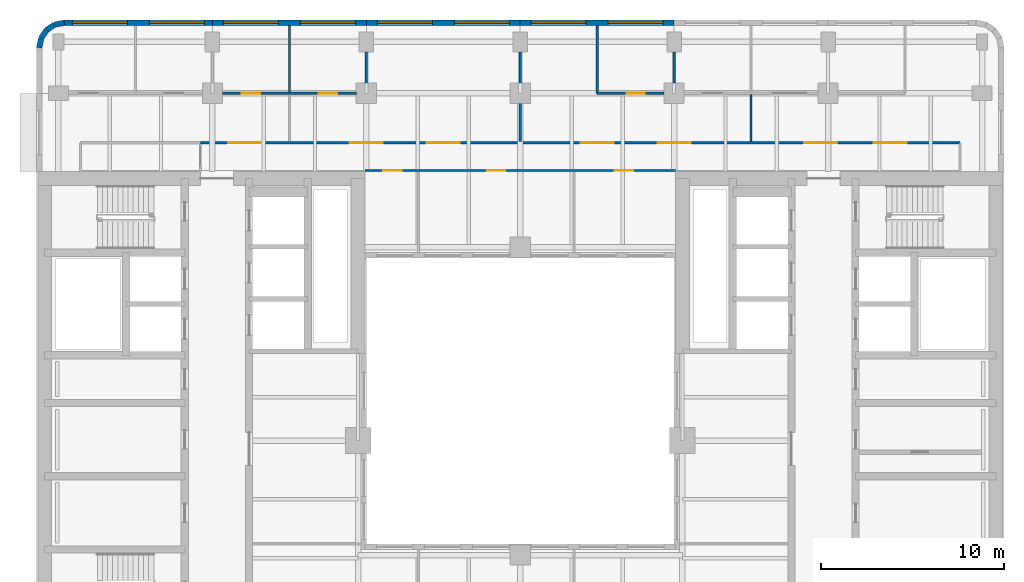
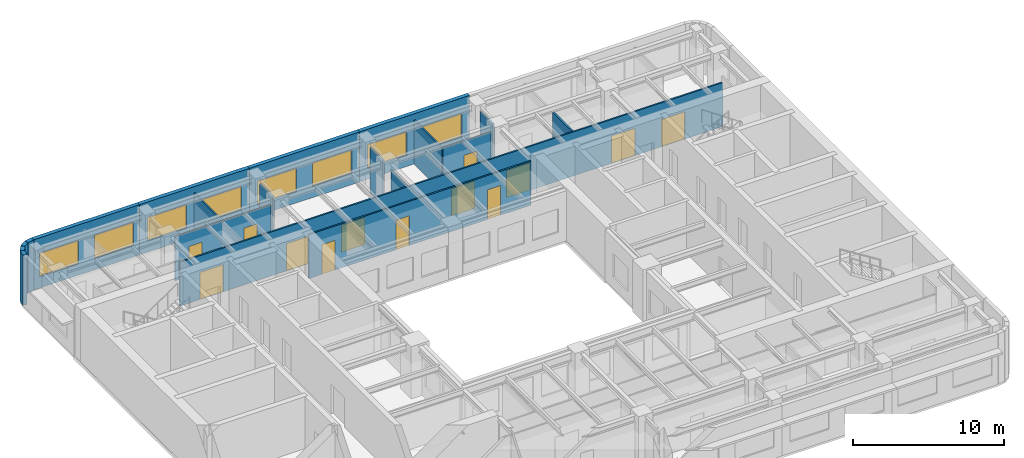
# One storey, part 7 of 11: 19 walls, 13 doors, 8 windows, 21 openings.
"""IFC4 building model written with IfcOpenShell, lengths in metres."""

from ifc_helpers import new_model, si_unit, direction, frame, frame_2d, origin, place, context, subcontext, project, spatial, rectangle, extrude, material, layer, layer_set, type_object, element, fill, save


model = new_model("IFC4")

# Units and contexts
model_context = context("Model", 3, precision=1e-05, world=origin(), true_north=direction((0.0, 1.0)))
body_context = subcontext(model_context, "Body", "Model", "MODEL_VIEW")
ifc_project = project(units=[si_unit("LENGTHUNIT", "METRE"), si_unit("AREAUNIT", "SQUARE_METRE"), si_unit("VOLUMEUNIT", "CUBIC_METRE"), si_unit("PLANEANGLEUNIT", "RADIAN"), si_unit("MASSUNIT", "GRAM", prefix="KILO")], contexts=[model_context])

# Site, building, storey
site_placement = place(None, origin())
site = spatial("IfcSite", under=ifc_project, at=site_placement, CompositionType="ELEMENT")
building_placement = place(site_placement, origin())
building = spatial("IfcBuilding", under=site, at=building_placement, Name="Claustro Exchange Tower", CompositionType="ELEMENT")
storey_placement = place(building_placement, frame((0.0, 0.0, 219.60009765625)))
storey = spatial("IfcBuildingStorey", under=building, at=storey_placement, Name="L50", CompositionType="ELEMENT", Elevation=219.60009765625)

# Wall, openings, doors
ifc_material_1 = material(Name="Laminated glass in aluminium frame", Category="aluminium")
ifc_layer_1 = layer(ifc_material_1, 0.1201171875)
ifc_layer_set_1 = layer_set([ifc_layer_1], Name="Laminated glass in aluminium frame")
wall_type_1 = type_object("IfcWallType", Name="P2 120 glazed partition", PredefinedType="PARTITIONING", material=ifc_layer_set_1)
wall_1_placement = place(storey_placement, frame((8.948974609375, 42.0, 0.0), z_axis=(0.0, 0.0, 1.0), x_axis=(1.0, 0.0, 0.0)))
wall_1 = element("IfcWall", 1, at=wall_1_placement, inside=storey, type_object=wall_type_1, Name="Partition P2 L50", PredefinedType="PARTITIONING", context=body_context, shape_type="SweptSolid", body=[
    extrude(rectangle(XDim=7.302001953125, YDim=0.1201171875, at=frame_2d((3.65087890625, 0.0))), origin(), (0.0, 0.0, 1.0), 3.5498046875),
])
opening_1_placement = place(wall_1_placement, frame((1.051025390625, 0.0, 0.0)))
opening_1 = element("IfcOpeningElement", 2, at=opening_1_placement, cuts=wall_1, Name="Opening D7", PredefinedType="OPENING", context=body_context, shape_type="SweptSolid", body=[
    extrude(rectangle(XDim=1.0, YDim=2.39990234375, at=frame_2d((0.5, 1.199951171875))), frame((0.0, 0.070068359375, 0.0), z_axis=(0.0, -1.0, 0.0), x_axis=(1.0, 0.0, 0.0)), (0.0, 0.0, 1.0), 0.14013671875),
])
opening_2_placement = place(wall_1_placement, frame((5.2509765625, 0.0, 0.0)))
opening_2 = element("IfcOpeningElement", 3, at=opening_2_placement, cuts=wall_1, Name="Opening D7", PredefinedType="OPENING", context=body_context, shape_type="SweptSolid", body=[
    extrude(rectangle(XDim=1.0, YDim=2.39990234375, at=frame_2d((0.5, 1.199951171875))), frame((0.0, 0.070068359375, 0.0), z_axis=(0.0, -1.0, 0.0), x_axis=(1.0, 0.0, 0.0)), (0.0, 0.0, 1.0), 0.14013671875),
])
ifc_material_2 = material(Name="Glass door in aluminium frame", Category="aluminium")
door_type_1 = type_object("IfcDoorType", Name="D7 1000 x 2400 glazed door", OperationType="SINGLE_SWING_LEFT", PredefinedType="DOOR", material=ifc_material_2)
door_1_placement = place(opening_1_placement, origin())
door_1 = element("IfcDoor", 4, at=door_1_placement, inside=storey, type_object=door_type_1, Name="Door D7 L50", OperationType="SINGLE_SWING_LEFT", OverallHeight=2.39990234375, OverallWidth=1.0, PredefinedType="DOOR", context=body_context, shape_type="SweptSolid", body=[
    extrude(rectangle(XDim=1.0, YDim=2.39990234375, at=frame_2d((0.5, 1.199951171875))), frame((0.0, 0.02490234375, 0.0), z_axis=(0.0, -1.0, 0.0), x_axis=(1.0, 0.0, 0.0)), (0.0, 0.0, 1.0), 0.050048828125),
])
fill(opening_1, door_1)
door_2_placement = place(opening_2_placement, origin())
door_2 = element("IfcDoor", 5, at=door_2_placement, inside=storey, type_object=door_type_1, Name="Door D7 L50", OperationType="SINGLE_SWING_LEFT", OverallHeight=2.39990234375, OverallWidth=1.0, PredefinedType="DOOR", context=body_context, shape_type="SweptSolid", body=[
    extrude(rectangle(XDim=1.0, YDim=2.39990234375, at=frame_2d((0.5, 1.199951171875))), frame((0.0, 0.02490234375, 0.0), z_axis=(0.0, -1.0, 0.0), x_axis=(1.0, 0.0, 0.0)), (0.0, 0.0, 1.0), 0.050048828125),
])
fill(opening_2, door_2)

# Walls
wall_2_placement = place(storey_placement, frame((12.60009765625, 42.05810546875, 0.0), z_axis=(0.0, 0.0, 1.0), x_axis=(0.0, 1.0, 0.0)))
element("IfcWall", 6, at=wall_2_placement, inside=storey, type_object=wall_type_1, Name="Partition P2 L50", PredefinedType="PARTITIONING", context=body_context, shape_type="SweptSolid", body=[
    extrude(rectangle(XDim=3.643798828125, YDim=0.1201171875, at=frame_2d((1.82177734375, 0.0))), origin(), (0.0, 0.0, 1.0), 3.5498046875),
])
wall_3_placement = place(storey_placement, frame((16.800048828125, 42.549072265625, 0.0), z_axis=(0.0, 0.0, 1.0), x_axis=(0.0, 1.0, 0.0)))
element("IfcWall", 7, at=wall_3_placement, inside=storey, type_object=wall_type_1, Name="Partition P2 L50", PredefinedType="PARTITIONING", context=body_context, shape_type="SweptSolid", body=[
    extrude(rectangle(XDim=1.701904296875, YDim=0.1201171875, at=frame_2d((0.85107421875, 0.0))), origin(), (0.0, 0.0, 1.0), 3.68994140625),
])

# Wall, opening, door
wall_4_placement = place(storey_placement, frame((29.39990234375, 42.0, 0.0), z_axis=(0.0, 0.0, 1.0), x_axis=(1.0, 0.0, 0.0)))
wall_4 = element("IfcWall", 8, at=wall_4_placement, inside=storey, type_object=wall_type_1, Name="Partition P2 L50", PredefinedType="PARTITIONING", context=body_context, shape_type="SweptSolid", body=[
    extrude(rectangle(XDim=3.651123046875, YDim=0.1201171875, at=frame_2d((1.82568359375, 0.0))), origin(), (0.0, 0.0, 1.0), 3.5498046875),
])
opening_3_placement = place(wall_4_placement, frame((1.60009765625, 0.0, 0.0)))
opening_3 = element("IfcOpeningElement", 9, at=opening_3_placement, cuts=wall_4, Name="Opening D7", PredefinedType="OPENING", context=body_context, shape_type="SweptSolid", body=[
    extrude(rectangle(XDim=1.0, YDim=2.39990234375, at=frame_2d((0.5, 1.199951171875))), frame((0.0, 0.070068359375, 0.0), z_axis=(0.0, -1.0, 0.0), x_axis=(1.0, 0.0, 0.0)), (0.0, 0.0, 1.0), 0.14013671875),
])
door_3_placement = place(opening_3_placement, origin())
door_3 = element("IfcDoor", 10, at=door_3_placement, inside=storey, type_object=door_type_1, Name="Door D7 L50", OperationType="SINGLE_SWING_LEFT", OverallHeight=2.39990234375, OverallWidth=1.0, PredefinedType="DOOR", context=body_context, shape_type="SweptSolid", body=[
    extrude(rectangle(XDim=1.0, YDim=2.39990234375, at=frame_2d((0.5, 1.199951171875))), frame((0.0, 0.02490234375, 0.0), z_axis=(0.0, -1.0, 0.0), x_axis=(1.0, 0.0, 0.0)), (0.0, 0.0, 1.0), 0.050048828125),
])
fill(opening_3, door_3)

# Walls
wall_5_placement = place(storey_placement, frame((29.39990234375, 42.0, 0.0), z_axis=(0.0, 0.0, 1.0), x_axis=(0.0, 1.0, 0.0)))
element("IfcWall", 11, at=wall_5_placement, inside=storey, type_object=wall_type_1, Name="Partition P2 L50", PredefinedType="PARTITIONING", context=body_context, shape_type="SweptSolid", body=[
    extrude(rectangle(XDim=3.701904296875, YDim=0.1201171875, at=frame_2d((1.85107421875, 0.0))), origin(), (0.0, 0.0, 1.0), 3.5498046875),
])
wall_6_placement = place(storey_placement, frame((33.60009765625, 42.549072265625, 0.0), z_axis=(0.0, 0.0, 1.0), x_axis=(0.0, 1.0, 0.0)))
element("IfcWall", 12, at=wall_6_placement, inside=storey, type_object=wall_type_1, Name="Partition P2 L50", PredefinedType="PARTITIONING", context=body_context, shape_type="SweptSolid", body=[
    extrude(rectangle(XDim=1.701904296875, YDim=0.1201171875, at=frame_2d((0.85107421875, 0.0))), origin(), (0.0, 0.0, 1.0), 3.68994140625),
])
wall_7_placement = place(storey_placement, frame((25.199951171875, 39.35791015625, 0.0), z_axis=(0.0, 0.0, 1.0), x_axis=(0.0, 1.0, 0.0)))
element("IfcWall", 13, at=wall_7_placement, inside=storey, type_object=wall_type_1, Name="Partition P2 L50", PredefinedType="PARTITIONING", context=body_context, shape_type="SweptSolid", body=[
    extrude(rectangle(XDim=2.093017578125, YDim=0.1201171875, at=frame_2d((1.04638671875, 0.0))), origin(), (0.0, 0.0, 1.0), 3.5498046875),
])
wall_8_placement = place(storey_placement, frame((25.199951171875, 42.549072265625, 0.0), z_axis=(0.0, 0.0, 1.0), x_axis=(0.0, 1.0, 0.0)))
element("IfcWall", 14, at=wall_8_placement, inside=storey, type_object=wall_type_1, Name="Partition P2 L50", PredefinedType="PARTITIONING", context=body_context, shape_type="SweptSolid", body=[
    extrude(rectangle(XDim=1.701904296875, YDim=0.1201171875, at=frame_2d((0.85107421875, 0.0))), origin(), (0.0, 0.0, 1.0), 3.68994140625),
])
wall_9_placement = place(storey_placement, frame((37.800048828125, 39.35791015625, 0.0), z_axis=(0.0, 0.0, 1.0), x_axis=(0.0, 1.0, 0.0)))
element("IfcWall", 15, at=wall_9_placement, inside=storey, type_object=wall_type_1, Name="Partition P2 L50", PredefinedType="PARTITIONING", context=body_context, shape_type="SweptSolid", body=[
    extrude(rectangle(XDim=2.583984375, YDim=0.1201171875, at=frame_2d((1.2919921875, 0.0))), origin(), (0.0, 0.0, 1.0), 3.5498046875),
])

# Wall, openings, doors
wall_10_placement = place(storey_placement, frame((7.748046875, 39.300048828125, 0.0), z_axis=(0.0, 0.0, 1.0), x_axis=(1.0, 0.0, 0.0)))
wall_10 = element("IfcWall", 16, at=wall_10_placement, inside=storey, type_object=wall_type_1, Name="Partition P2 L50", PredefinedType="PARTITIONING", context=body_context, shape_type="SweptSolid", body=[
    extrude(rectangle(XDim=41.451904296875, YDim=0.1201171875, at=frame_2d((20.72607421875, 0.0))), origin(), (0.0, 0.0, 1.0), 3.5498046875),
])
opening_4_placement = place(wall_10_placement, frame((1.527099609375, 0.0, 0.0)))
opening_4 = element("IfcOpeningElement", 17, at=opening_4_placement, cuts=wall_10, Name="Opening D2", PredefinedType="OPENING", context=body_context, shape_type="SweptSolid", body=[
    extrude(rectangle(XDim=1.800048828125, YDim=2.199951171875, at=frame_2d((0.89990234375, 1.10009765625))), frame((0.0, 0.070068359375, 0.0), z_axis=(0.0, -1.0, 0.0), x_axis=(1.0, 0.0, 0.0)), (0.0, 0.0, 1.0), 0.14013671875),
])
opening_5_placement = place(wall_10_placement, frame((8.152099609375, 0.0, 0.0)))
opening_5 = element("IfcOpeningElement", 18, at=opening_5_placement, cuts=wall_10, Name="Opening D2", PredefinedType="OPENING", context=body_context, shape_type="SweptSolid", body=[
    extrude(rectangle(XDim=1.800048828125, YDim=2.199951171875, at=frame_2d((0.89990234375, 1.10009765625))), frame((0.0, 0.070068359375, 0.0), z_axis=(0.0, -1.0, 0.0), x_axis=(1.0, 0.0, 0.0)), (0.0, 0.0, 1.0), 0.14013671875),
])
opening_6_placement = place(wall_10_placement, frame((12.35205078125, 0.0, 0.0)))
opening_6 = element("IfcOpeningElement", 19, at=opening_6_placement, cuts=wall_10, Name="Opening D2", PredefinedType="OPENING", context=body_context, shape_type="SweptSolid", body=[
    extrude(rectangle(XDim=1.800048828125, YDim=2.199951171875, at=frame_2d((0.89990234375, 1.10009765625))), frame((0.0, 0.070068359375, 0.0), z_axis=(0.0, -1.0, 0.0), x_axis=(1.0, 0.0, 0.0)), (0.0, 0.0, 1.0), 0.14013671875),
])
opening_7_placement = place(wall_10_placement, frame((20.751953125, 0.0, 0.0)))
opening_7 = element("IfcOpeningElement", 20, at=opening_7_placement, cuts=wall_10, Name="Opening D2", PredefinedType="OPENING", context=body_context, shape_type="SweptSolid", body=[
    extrude(rectangle(XDim=1.800048828125, YDim=2.199951171875, at=frame_2d((0.89990234375, 1.10009765625))), frame((0.0, 0.070068359375, 0.0), z_axis=(0.0, -1.0, 0.0), x_axis=(1.0, 0.0, 0.0)), (0.0, 0.0, 1.0), 0.14013671875),
])
opening_8_placement = place(wall_10_placement, frame((24.951904296875, 0.0, 0.0)))
opening_8 = element("IfcOpeningElement", 21, at=opening_8_placement, cuts=wall_10, Name="Opening D2", PredefinedType="OPENING", context=body_context, shape_type="SweptSolid", body=[
    extrude(rectangle(XDim=1.800048828125, YDim=2.199951171875, at=frame_2d((0.89990234375, 1.10009765625))), frame((0.0, 0.070068359375, 0.0), z_axis=(0.0, -1.0, 0.0), x_axis=(1.0, 0.0, 0.0)), (0.0, 0.0, 1.0), 0.14013671875),
])
opening_9_placement = place(wall_10_placement, frame((32.951904296875, 0.0, 0.0)))
opening_9 = element("IfcOpeningElement", 22, at=opening_9_placement, cuts=wall_10, Name="Opening D2", PredefinedType="OPENING", context=body_context, shape_type="SweptSolid", body=[
    extrude(rectangle(XDim=1.800048828125, YDim=2.199951171875, at=frame_2d((0.89990234375, 1.10009765625))), frame((0.0, 0.070068359375, 0.0), z_axis=(0.0, -1.0, 0.0), x_axis=(1.0, 0.0, 0.0)), (0.0, 0.0, 1.0), 0.14013671875),
])
opening_10_placement = place(wall_10_placement, frame((36.751953125, 0.0, 0.0)))
opening_10 = element("IfcOpeningElement", 23, at=opening_10_placement, cuts=wall_10, Name="Opening D2", PredefinedType="OPENING", context=body_context, shape_type="SweptSolid", body=[
    extrude(rectangle(XDim=1.800048828125, YDim=2.199951171875, at=frame_2d((0.89990234375, 1.10009765625))), frame((0.0, 0.070068359375, 0.0), z_axis=(0.0, -1.0, 0.0), x_axis=(1.0, 0.0, 0.0)), (0.0, 0.0, 1.0), 0.14013671875),
])
ifc_material_3 = material(Name="Timber door, oak veneer", Category="wood")
door_type_2 = type_object("IfcDoorType", Name="D2 1800 x 2200 double door", OperationType="DOUBLE_DOOR_SINGLE_SWING", PredefinedType="DOOR", material=ifc_material_3)
door_4_placement = place(opening_4_placement, origin())
door_4 = element("IfcDoor", 24, at=door_4_placement, inside=storey, type_object=door_type_2, Name="Double door D2 L50", OperationType="DOUBLE_DOOR_SINGLE_SWING", OverallHeight=2.199951171875, OverallWidth=1.800048828125, PredefinedType="DOOR", context=body_context, shape_type="SweptSolid", body=[
    extrude(rectangle(XDim=1.800048828125, YDim=2.199951171875, at=frame_2d((0.89990234375, 1.10009765625))), frame((0.0, 0.02490234375, 0.0), z_axis=(0.0, -1.0, 0.0), x_axis=(1.0, 0.0, 0.0)), (0.0, 0.0, 1.0), 0.050048828125),
])
fill(opening_4, door_4)
door_5_placement = place(opening_5_placement, origin())
door_5 = element("IfcDoor", 25, at=door_5_placement, inside=storey, type_object=door_type_2, Name="Double door D2 L50", OperationType="DOUBLE_DOOR_SINGLE_SWING", OverallHeight=2.199951171875, OverallWidth=1.800048828125, PredefinedType="DOOR", context=body_context, shape_type="SweptSolid", body=[
    extrude(rectangle(XDim=1.800048828125, YDim=2.199951171875, at=frame_2d((0.89990234375, 1.10009765625))), frame((0.0, 0.02490234375, 0.0), z_axis=(0.0, -1.0, 0.0), x_axis=(1.0, 0.0, 0.0)), (0.0, 0.0, 1.0), 0.050048828125),
])
fill(opening_5, door_5)
door_6_placement = place(opening_6_placement, origin())
door_6 = element("IfcDoor", 26, at=door_6_placement, inside=storey, type_object=door_type_2, Name="Double door D2 L50", OperationType="DOUBLE_DOOR_SINGLE_SWING", OverallHeight=2.199951171875, OverallWidth=1.800048828125, PredefinedType="DOOR", context=body_context, shape_type="SweptSolid", body=[
    extrude(rectangle(XDim=1.800048828125, YDim=2.199951171875, at=frame_2d((0.89990234375, 1.10009765625))), frame((0.0, 0.02490234375, 0.0), z_axis=(0.0, -1.0, 0.0), x_axis=(1.0, 0.0, 0.0)), (0.0, 0.0, 1.0), 0.050048828125),
])
fill(opening_6, door_6)
door_7_placement = place(opening_7_placement, origin())
door_7 = element("IfcDoor", 27, at=door_7_placement, inside=storey, type_object=door_type_2, Name="Double door D2 L50", OperationType="DOUBLE_DOOR_SINGLE_SWING", OverallHeight=2.199951171875, OverallWidth=1.800048828125, PredefinedType="DOOR", context=body_context, shape_type="SweptSolid", body=[
    extrude(rectangle(XDim=1.800048828125, YDim=2.199951171875, at=frame_2d((0.89990234375, 1.10009765625))), frame((0.0, 0.02490234375, 0.0), z_axis=(0.0, -1.0, 0.0), x_axis=(1.0, 0.0, 0.0)), (0.0, 0.0, 1.0), 0.050048828125),
])
fill(opening_7, door_7)
door_8_placement = place(opening_8_placement, origin())
door_8 = element("IfcDoor", 28, at=door_8_placement, inside=storey, type_object=door_type_2, Name="Double door D2 L50", OperationType="DOUBLE_DOOR_SINGLE_SWING", OverallHeight=2.199951171875, OverallWidth=1.800048828125, PredefinedType="DOOR", context=body_context, shape_type="SweptSolid", body=[
    extrude(rectangle(XDim=1.800048828125, YDim=2.199951171875, at=frame_2d((0.89990234375, 1.10009765625))), frame((0.0, 0.02490234375, 0.0), z_axis=(0.0, -1.0, 0.0), x_axis=(1.0, 0.0, 0.0)), (0.0, 0.0, 1.0), 0.050048828125),
])
fill(opening_8, door_8)
door_9_placement = place(opening_9_placement, origin())
door_9 = element("IfcDoor", 29, at=door_9_placement, inside=storey, type_object=door_type_2, Name="Double door D2 L50", OperationType="DOUBLE_DOOR_SINGLE_SWING", OverallHeight=2.199951171875, OverallWidth=1.800048828125, PredefinedType="DOOR", context=body_context, shape_type="SweptSolid", body=[
    extrude(rectangle(XDim=1.800048828125, YDim=2.199951171875, at=frame_2d((0.89990234375, 1.10009765625))), frame((0.0, 0.02490234375, 0.0), z_axis=(0.0, -1.0, 0.0), x_axis=(1.0, 0.0, 0.0)), (0.0, 0.0, 1.0), 0.050048828125),
])
fill(opening_9, door_9)
door_10_placement = place(opening_10_placement, origin())
door_10 = element("IfcDoor", 30, at=door_10_placement, inside=storey, type_object=door_type_2, Name="Double door D2 L50", OperationType="DOUBLE_DOOR_SINGLE_SWING", OverallHeight=2.199951171875, OverallWidth=1.800048828125, PredefinedType="DOOR", context=body_context, shape_type="SweptSolid", body=[
    extrude(rectangle(XDim=1.800048828125, YDim=2.199951171875, at=frame_2d((0.89990234375, 1.10009765625))), frame((0.0, 0.02490234375, 0.0), z_axis=(0.0, -1.0, 0.0), x_axis=(1.0, 0.0, 0.0)), (0.0, 0.0, 1.0), 0.050048828125),
])
fill(opening_10, door_10)

wall_11_placement = place(storey_placement, frame((16.72509765625, 37.784912109375, 0.0), z_axis=(0.0, 0.0, 1.0), x_axis=(1.0, 0.0, 0.0)))
wall_11 = element("IfcWall", 31, at=wall_11_placement, inside=storey, type_object=wall_type_1, Name="Partition P2 L50", PredefinedType="PARTITIONING", context=body_context, shape_type="SweptSolid", body=[
    extrude(rectangle(XDim=16.949951171875, YDim=0.1201171875, at=frame_2d((8.47509765625, 0.0))), origin(), (0.0, 0.0, 1.0), 3.5498046875),
])
opening_11_placement = place(wall_11_placement, frame((1.0, 0.0, 0.0)))
opening_11 = element("IfcOpeningElement", 32, at=opening_11_placement, cuts=wall_11, Name="Opening D7", PredefinedType="OPENING", context=body_context, shape_type="SweptSolid", body=[
    extrude(rectangle(XDim=1.0, YDim=2.39990234375, at=frame_2d((0.5, 1.199951171875))), frame((0.0, 0.070068359375, 0.0), z_axis=(0.0, -1.0, 0.0), x_axis=(1.0, 0.0, 0.0)), (0.0, 0.0, 1.0), 0.14013671875),
])
opening_12_placement = place(wall_11_placement, frame((6.6650390625, 0.0, 0.0)))
opening_12 = element("IfcOpeningElement", 33, at=opening_12_placement, cuts=wall_11, Name="Opening D7", PredefinedType="OPENING", context=body_context, shape_type="SweptSolid", body=[
    extrude(rectangle(XDim=1.0, YDim=2.39990234375, at=frame_2d((0.5, 1.199951171875))), frame((0.0, 0.070068359375, 0.0), z_axis=(0.0, -1.0, 0.0), x_axis=(1.0, 0.0, 0.0)), (0.0, 0.0, 1.0), 0.14013671875),
])
opening_13_placement = place(wall_11_placement, frame((13.639892578125, 0.0, 0.0)))
opening_13 = element("IfcOpeningElement", 34, at=opening_13_placement, cuts=wall_11, Name="Opening D7", PredefinedType="OPENING", context=body_context, shape_type="SweptSolid", body=[
    extrude(rectangle(XDim=1.0, YDim=2.39990234375, at=frame_2d((0.5, 1.199951171875))), frame((0.0, 0.070068359375, 0.0), z_axis=(0.0, -1.0, 0.0), x_axis=(1.0, 0.0, 0.0)), (0.0, 0.0, 1.0), 0.14013671875),
])
door_11_placement = place(opening_11_placement, frame((1.0, 0.0, 0.0), z_axis=(0.0, 0.0, 1.0), x_axis=(-1.0, 0.0, 0.0)))
door_11 = element("IfcDoor", 35, at=door_11_placement, inside=storey, type_object=door_type_1, Name="Door D7 L50", OperationType="SINGLE_SWING_LEFT", OverallHeight=2.39990234375, OverallWidth=1.0, PredefinedType="DOOR", context=body_context, shape_type="SweptSolid", body=[
    extrude(rectangle(XDim=1.0, YDim=2.39990234375, at=frame_2d((0.5, 1.199951171875))), frame((0.0, 0.02490234375, 0.0), z_axis=(0.0, -1.0, 0.0), x_axis=(1.0, 0.0, 0.0)), (0.0, 0.0, 1.0), 0.050048828125),
])
fill(opening_11, door_11)
door_12_placement = place(opening_12_placement, frame((1.0, 0.0, 0.0), z_axis=(0.0, 0.0, 1.0), x_axis=(-1.0, 0.0, 0.0)))
door_12 = element("IfcDoor", 36, at=door_12_placement, inside=storey, type_object=door_type_1, Name="Door D7 L50", OperationType="SINGLE_SWING_LEFT", OverallHeight=2.39990234375, OverallWidth=1.0, PredefinedType="DOOR", context=body_context, shape_type="SweptSolid", body=[
    extrude(rectangle(XDim=1.0, YDim=2.39990234375, at=frame_2d((0.5, 1.199951171875))), frame((0.0, 0.02490234375, 0.0), z_axis=(0.0, -1.0, 0.0), x_axis=(1.0, 0.0, 0.0)), (0.0, 0.0, 1.0), 0.050048828125),
])
fill(opening_12, door_12)
door_13_placement = place(opening_13_placement, frame((1.0, 0.0, 0.0), z_axis=(0.0, 0.0, 1.0), x_axis=(-1.0, 0.0, 0.0)))
door_13 = element("IfcDoor", 37, at=door_13_placement, inside=storey, type_object=door_type_1, Name="Door D7 L50", OperationType="SINGLE_SWING_LEFT", OverallHeight=2.39990234375, OverallWidth=1.0, PredefinedType="DOOR", context=body_context, shape_type="SweptSolid", body=[
    extrude(rectangle(XDim=1.0, YDim=2.39990234375, at=frame_2d((0.5, 1.199951171875))), frame((0.0, 0.02490234375, 0.0), z_axis=(0.0, -1.0, 0.0), x_axis=(1.0, 0.0, 0.0)), (0.0, 0.0, 1.0), 0.050048828125),
])
fill(opening_13, door_13)

# Walls
ifc_material_4 = material(Name="Concrete HA-40 (C40/50), precast, white cement, acid-etched", Category="concrete")
ifc_layer_2 = layer(ifc_material_4, 0.300048828125)
ifc_layer_set_2 = layer_set([ifc_layer_2], Name="Concrete HA-40 (C40/50), precast, white cement, acid-etched")
wall_type_2 = type_object("IfcWallType", Name="PC1 300 precast concrete pier panel", PredefinedType="SOLIDWALL", material=ifc_layer_set_2)
wall_12_placement = place(storey_placement, frame((-1.050048828125, 44.485107421875, 0.0), z_axis=(0.0, 0.0, 1.0), x_axis=(0.195073962632, 0.980788534345, 0.0)))
element("IfcWall", 38, at=wall_12_placement, inside=storey, type_object=wall_type_2, Name="Precast pier panel PC1 L50", PredefinedType="SOLIDWALL", context=body_context, shape_type="SweptSolid", body=[
    extrude(rectangle(XDim=0.540771484375, YDim=0.300048828125, at=frame_2d((0.2705078125, 0.0))), origin(), (0.0, 0.0, 1.0), 4.0498046875),
])
wall_13_placement = place(storey_placement, frame((-0.944580078125, 45.015380859375, 0.0), z_axis=(0.0, 0.0, 1.0), x_axis=(0.55534295404, 0.831621430339, 0.0)))
element("IfcWall", 39, at=wall_13_placement, inside=storey, type_object=wall_type_2, Name="Precast pier panel PC1 L50", PredefinedType="SOLIDWALL", context=body_context, shape_type="SweptSolid", body=[
    extrude(rectangle(XDim=0.52587890625, YDim=0.300048828125, at=frame_2d((0.262939453125, 0.0))), origin(), (0.0, 0.0, 1.0), 4.0498046875),
])
wall_14_placement = place(storey_placement, frame((-0.652587890625, 45.45263671875, 0.0), z_axis=(0.0, 0.0, 1.0), x_axis=(0.831692711774, 0.555236195849, 0.0)))
element("IfcWall", 40, at=wall_14_placement, inside=storey, type_object=wall_type_2, Name="Precast pier panel PC1 L50", PredefinedType="SOLIDWALL", context=body_context, shape_type="SweptSolid", body=[
    extrude(rectangle(XDim=0.525390625, YDim=0.300048828125, at=frame_2d((0.2626953125, 0.0))), origin(), (0.0, 0.0, 1.0), 4.0498046875),
])
wall_15_placement = place(storey_placement, frame((-0.215576171875, 45.744384765625, 0.0), z_axis=(0.0, 0.0, 1.0), x_axis=(0.980702050465, 0.1955082817, 0.0)))
element("IfcWall", 41, at=wall_15_placement, inside=storey, type_object=wall_type_2, Name="Precast pier panel PC1 L50", PredefinedType="SOLIDWALL", context=body_context, shape_type="SweptSolid", body=[
    extrude(rectangle(XDim=0.540771484375, YDim=0.300048828125, at=frame_2d((0.2705078125, 0.0))), origin(), (0.0, 0.0, 1.0), 4.0498046875),
])

# Wall, openings, windows
wall_16_placement = place(storey_placement, frame((0.314697265625, 45.85009765625, 0.0), z_axis=(0.0, 0.0, 1.0), x_axis=(1.0, 0.0, 0.0)))
wall_16 = element("IfcWall", 42, at=wall_16_placement, inside=storey, type_object=wall_type_2, Name="Precast pier panel PC1 L50", PredefinedType="SOLIDWALL", context=body_context, shape_type="SweptSolid", body=[
    extrude(rectangle(XDim=8.085205078125, YDim=0.300048828125, at=frame_2d((4.04248046875, 0.0))), origin(), (0.0, 0.0, 1.0), 4.0498046875),
])
opening_14_placement = place(wall_16_placement, frame((0.442626953125, 0.0, 0.89990234375)))
opening_14 = element("IfcOpeningElement", 43, at=opening_14_placement, cuts=wall_16, Name="Opening W1", PredefinedType="OPENING", context=body_context, shape_type="SweptSolid", body=[
    extrude(rectangle(XDim=3.0, YDim=1.89990234375, at=frame_2d((1.5, 0.949951171875))), frame((0.0, 0.159912109375, 0.0), z_axis=(0.0, -1.0, 0.0), x_axis=(1.0, 0.0, 0.0)), (0.0, 0.0, 1.0), 0.320068359375),
])
opening_15_placement = place(wall_16_placement, frame((4.642578125, 0.0, 0.89990234375)))
opening_15 = element("IfcOpeningElement", 44, at=opening_15_placement, cuts=wall_16, Name="Opening W1", PredefinedType="OPENING", context=body_context, shape_type="SweptSolid", body=[
    extrude(rectangle(XDim=3.0, YDim=1.89990234375, at=frame_2d((1.5, 0.949951171875))), frame((0.0, 0.159912109375, 0.0), z_axis=(0.0, -1.0, 0.0), x_axis=(1.0, 0.0, 0.0)), (0.0, 0.0, 1.0), 0.320068359375),
])
ifc_material_5 = material(Name="Aluminium frame, clear double glazing", Category="aluminium")
window_type = type_object("IfcWindowType", Name="W1 3000 x 1900 window", PartitioningType="SINGLE_PANEL", PredefinedType="WINDOW", material=ifc_material_5)
window_1_placement = place(opening_14_placement, origin())
window_1 = element("IfcWindow", 45, at=window_1_placement, inside=storey, type_object=window_type, Name="Window W1 L50", OverallHeight=1.89990234375, OverallWidth=3.0, PartitioningType="SINGLE_PANEL", PredefinedType="WINDOW", context=body_context, shape_type="SweptSolid", body=[
    extrude(rectangle(XDim=3.0, YDim=1.89990234375, at=frame_2d((1.5, 0.949951171875))), frame((0.0, 0.030029296875, 0.0), z_axis=(0.0, -1.0, 0.0), x_axis=(1.0, 0.0, 0.0)), (0.0, 0.0, 1.0), 0.06005859375),
])
fill(opening_14, window_1)
window_2_placement = place(opening_15_placement, origin())
window_2 = element("IfcWindow", 46, at=window_2_placement, inside=storey, type_object=window_type, Name="Window W1 L50", OverallHeight=1.89990234375, OverallWidth=3.0, PartitioningType="SINGLE_PANEL", PredefinedType="WINDOW", context=body_context, shape_type="SweptSolid", body=[
    extrude(rectangle(XDim=3.0, YDim=1.89990234375, at=frame_2d((1.5, 0.949951171875))), frame((0.0, 0.030029296875, 0.0), z_axis=(0.0, -1.0, 0.0), x_axis=(1.0, 0.0, 0.0)), (0.0, 0.0, 1.0), 0.06005859375),
])
fill(opening_15, window_2)

wall_17_placement = place(storey_placement, frame((8.39990234375, 45.85009765625, 0.0), z_axis=(0.0, 0.0, 1.0), x_axis=(1.0, 0.0, 0.0)))
wall_17 = element("IfcWall", 47, at=wall_17_placement, inside=storey, type_object=wall_type_2, Name="Precast pier panel PC1 L50", PredefinedType="SOLIDWALL", context=body_context, shape_type="SweptSolid", body=[
    extrude(rectangle(XDim=8.400146484375, YDim=0.300048828125, at=frame_2d((4.2001953125, 0.0))), origin(), (0.0, 0.0, 1.0), 4.0498046875),
])
opening_16_placement = place(wall_17_placement, frame((0.60009765625, 0.0, 0.89990234375)))
opening_16 = element("IfcOpeningElement", 48, at=opening_16_placement, cuts=wall_17, Name="Opening W1", PredefinedType="OPENING", context=body_context, shape_type="SweptSolid", body=[
    extrude(rectangle(XDim=3.0, YDim=1.89990234375, at=frame_2d((1.5, 0.949951171875))), frame((0.0, 0.159912109375, 0.0), z_axis=(0.0, -1.0, 0.0), x_axis=(1.0, 0.0, 0.0)), (0.0, 0.0, 1.0), 0.320068359375),
])
opening_17_placement = place(wall_17_placement, frame((4.800048828125, 0.0, 0.89990234375)))
opening_17 = element("IfcOpeningElement", 49, at=opening_17_placement, cuts=wall_17, Name="Opening W1", PredefinedType="OPENING", context=body_context, shape_type="SweptSolid", body=[
    extrude(rectangle(XDim=3.0, YDim=1.89990234375, at=frame_2d((1.5, 0.949951171875))), frame((0.0, 0.159912109375, 0.0), z_axis=(0.0, -1.0, 0.0), x_axis=(1.0, 0.0, 0.0)), (0.0, 0.0, 1.0), 0.320068359375),
])
window_3_placement = place(opening_16_placement, origin())
window_3 = element("IfcWindow", 50, at=window_3_placement, inside=storey, type_object=window_type, Name="Window W1 L50", OverallHeight=1.89990234375, OverallWidth=3.0, PartitioningType="SINGLE_PANEL", PredefinedType="WINDOW", context=body_context, shape_type="SweptSolid", body=[
    extrude(rectangle(XDim=3.0, YDim=1.89990234375, at=frame_2d((1.5, 0.949951171875))), frame((0.0, 0.030029296875, 0.0), z_axis=(0.0, -1.0, 0.0), x_axis=(1.0, 0.0, 0.0)), (0.0, 0.0, 1.0), 0.06005859375),
])
fill(opening_16, window_3)
window_4_placement = place(opening_17_placement, origin())
window_4 = element("IfcWindow", 51, at=window_4_placement, inside=storey, type_object=window_type, Name="Window W1 L50", OverallHeight=1.89990234375, OverallWidth=3.0, PartitioningType="SINGLE_PANEL", PredefinedType="WINDOW", context=body_context, shape_type="SweptSolid", body=[
    extrude(rectangle(XDim=3.0, YDim=1.89990234375, at=frame_2d((1.5, 0.949951171875))), frame((0.0, 0.030029296875, 0.0), z_axis=(0.0, -1.0, 0.0), x_axis=(1.0, 0.0, 0.0)), (0.0, 0.0, 1.0), 0.06005859375),
])
fill(opening_17, window_4)

wall_18_placement = place(storey_placement, frame((16.800048828125, 45.85009765625, 0.0), z_axis=(0.0, 0.0, 1.0), x_axis=(1.0, 0.0, 0.0)))
wall_18 = element("IfcWall", 52, at=wall_18_placement, inside=storey, type_object=wall_type_2, Name="Precast pier panel PC1 L50", PredefinedType="SOLIDWALL", context=body_context, shape_type="SweptSolid", body=[
    extrude(rectangle(XDim=8.39990234375, YDim=0.300048828125, at=frame_2d((4.199951171875, 0.0))), origin(), (0.0, 0.0, 1.0), 4.0498046875),
])
opening_18_placement = place(wall_18_placement, frame((0.60009765625, 0.0, 0.89990234375)))
opening_18 = element("IfcOpeningElement", 53, at=opening_18_placement, cuts=wall_18, Name="Opening W1", PredefinedType="OPENING", context=body_context, shape_type="SweptSolid", body=[
    extrude(rectangle(XDim=3.0, YDim=1.89990234375, at=frame_2d((1.5, 0.949951171875))), frame((0.0, 0.159912109375, 0.0), z_axis=(0.0, -1.0, 0.0), x_axis=(1.0, 0.0, 0.0)), (0.0, 0.0, 1.0), 0.320068359375),
])
opening_19_placement = place(wall_18_placement, frame((4.800048828125, 0.0, 0.89990234375)))
opening_19 = element("IfcOpeningElement", 54, at=opening_19_placement, cuts=wall_18, Name="Opening W1", PredefinedType="OPENING", context=body_context, shape_type="SweptSolid", body=[
    extrude(rectangle(XDim=3.0, YDim=1.89990234375, at=frame_2d((1.5, 0.949951171875))), frame((0.0, 0.159912109375, 0.0), z_axis=(0.0, -1.0, 0.0), x_axis=(1.0, 0.0, 0.0)), (0.0, 0.0, 1.0), 0.320068359375),
])
window_5_placement = place(opening_18_placement, origin())
window_5 = element("IfcWindow", 55, at=window_5_placement, inside=storey, type_object=window_type, Name="Window W1 L50", OverallHeight=1.89990234375, OverallWidth=3.0, PartitioningType="SINGLE_PANEL", PredefinedType="WINDOW", context=body_context, shape_type="SweptSolid", body=[
    extrude(rectangle(XDim=3.0, YDim=1.89990234375, at=frame_2d((1.5, 0.949951171875))), frame((0.0, 0.030029296875, 0.0), z_axis=(0.0, -1.0, 0.0), x_axis=(1.0, 0.0, 0.0)), (0.0, 0.0, 1.0), 0.06005859375),
])
fill(opening_18, window_5)
window_6_placement = place(opening_19_placement, origin())
window_6 = element("IfcWindow", 56, at=window_6_placement, inside=storey, type_object=window_type, Name="Window W1 L50", OverallHeight=1.89990234375, OverallWidth=3.0, PartitioningType="SINGLE_PANEL", PredefinedType="WINDOW", context=body_context, shape_type="SweptSolid", body=[
    extrude(rectangle(XDim=3.0, YDim=1.89990234375, at=frame_2d((1.5, 0.949951171875))), frame((0.0, 0.030029296875, 0.0), z_axis=(0.0, -1.0, 0.0), x_axis=(1.0, 0.0, 0.0)), (0.0, 0.0, 1.0), 0.06005859375),
])
fill(opening_19, window_6)

wall_19_placement = place(storey_placement, frame((25.199951171875, 45.85009765625, 0.0), z_axis=(0.0, 0.0, 1.0), x_axis=(1.0, 0.0, 0.0)))
wall_19 = element("IfcWall", 57, at=wall_19_placement, inside=storey, type_object=wall_type_2, Name="Precast pier panel PC1 L50", PredefinedType="SOLIDWALL", context=body_context, shape_type="SweptSolid", body=[
    extrude(rectangle(XDim=8.400146484375, YDim=0.300048828125, at=frame_2d((4.2001953125, 0.0))), origin(), (0.0, 0.0, 1.0), 4.0498046875),
])
opening_20_placement = place(wall_19_placement, frame((0.60009765625, 0.0, 0.89990234375)))
opening_20 = element("IfcOpeningElement", 58, at=opening_20_placement, cuts=wall_19, Name="Opening W1", PredefinedType="OPENING", context=body_context, shape_type="SweptSolid", body=[
    extrude(rectangle(XDim=3.0, YDim=1.89990234375, at=frame_2d((1.5, 0.949951171875))), frame((0.0, 0.159912109375, 0.0), z_axis=(0.0, -1.0, 0.0), x_axis=(1.0, 0.0, 0.0)), (0.0, 0.0, 1.0), 0.320068359375),
])
opening_21_placement = place(wall_19_placement, frame((4.800048828125, 0.0, 0.89990234375)))
opening_21 = element("IfcOpeningElement", 59, at=opening_21_placement, cuts=wall_19, Name="Opening W1", PredefinedType="OPENING", context=body_context, shape_type="SweptSolid", body=[
    extrude(rectangle(XDim=3.0, YDim=1.89990234375, at=frame_2d((1.5, 0.949951171875))), frame((0.0, 0.159912109375, 0.0), z_axis=(0.0, -1.0, 0.0), x_axis=(1.0, 0.0, 0.0)), (0.0, 0.0, 1.0), 0.320068359375),
])
window_7_placement = place(opening_20_placement, origin())
window_7 = element("IfcWindow", 60, at=window_7_placement, inside=storey, type_object=window_type, Name="Window W1 L50", OverallHeight=1.89990234375, OverallWidth=3.0, PartitioningType="SINGLE_PANEL", PredefinedType="WINDOW", context=body_context, shape_type="SweptSolid", body=[
    extrude(rectangle(XDim=3.0, YDim=1.89990234375, at=frame_2d((1.5, 0.949951171875))), frame((0.0, 0.030029296875, 0.0), z_axis=(0.0, -1.0, 0.0), x_axis=(1.0, 0.0, 0.0)), (0.0, 0.0, 1.0), 0.06005859375),
])
fill(opening_20, window_7)
window_8_placement = place(opening_21_placement, origin())
window_8 = element("IfcWindow", 61, at=window_8_placement, inside=storey, type_object=window_type, Name="Window W1 L50", OverallHeight=1.89990234375, OverallWidth=3.0, PartitioningType="SINGLE_PANEL", PredefinedType="WINDOW", context=body_context, shape_type="SweptSolid", body=[
    extrude(rectangle(XDim=3.0, YDim=1.89990234375, at=frame_2d((1.5, 0.949951171875))), frame((0.0, 0.030029296875, 0.0), z_axis=(0.0, -1.0, 0.0), x_axis=(1.0, 0.0, 0.0)), (0.0, 0.0, 1.0), 0.06005859375),
])
fill(opening_21, window_8)

save(model, "model.ifc")
